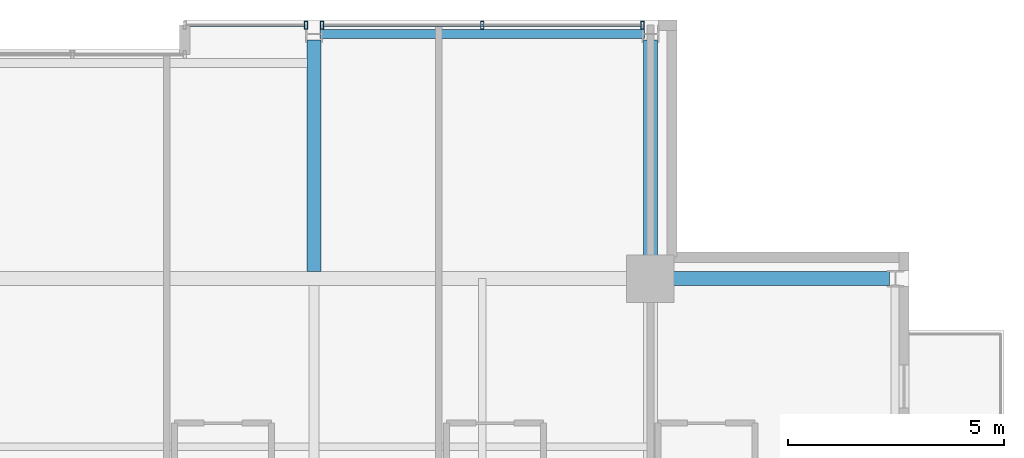
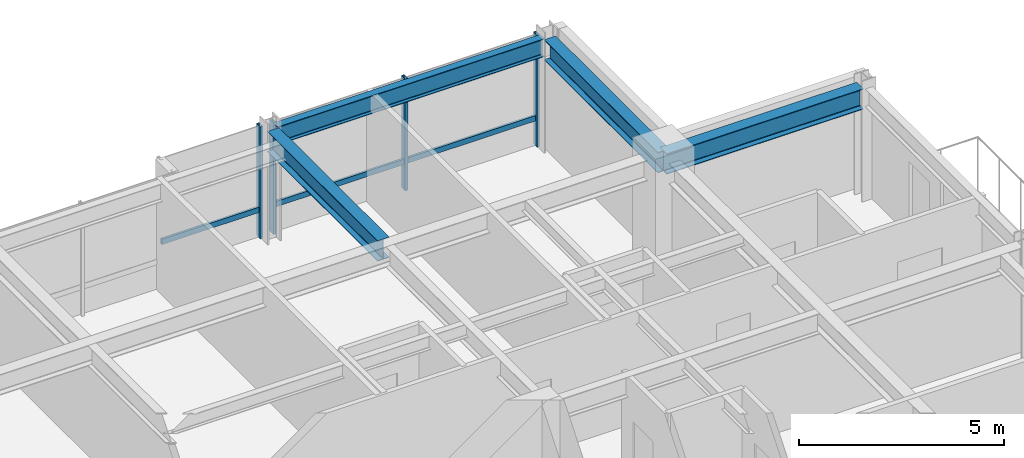
# One storey, part 23 of 32: 6 members, 4 beams, 2 elements without a shape of their own.
"""IFC4 building model written with IfcOpenShell, lengths in metres."""

from ifc_helpers import new_model, si_unit, direction, frame, origin, origin_2d, place, context, subcontext, project, spatial, hollow_rectangle, i_section, extrude, material, layer, layer_set, material_profile, profile_set, type_object, element, aggregate, save


model = new_model("IFC4")

# Units and contexts
model_context = context("Model", 3, precision=1e-05, world=origin(), true_north=direction((0.0, 1.0)))
body_context = subcontext(model_context, "Body", "Model", "MODEL_VIEW")
ifc_project = project(units=[si_unit("LENGTHUNIT", "METRE"), si_unit("AREAUNIT", "SQUARE_METRE"), si_unit("VOLUMEUNIT", "CUBIC_METRE"), si_unit("PLANEANGLEUNIT", "RADIAN"), si_unit("MASSUNIT", "GRAM", prefix="KILO")], contexts=[model_context])

# Site, building, storey
site_placement = place(None, origin())
site = spatial("IfcSite", under=ifc_project, at=site_placement, CompositionType="ELEMENT")
building_placement = place(site_placement, origin())
building = spatial("IfcBuilding", under=site, at=building_placement, Name="Drelvath Grand Hotel", CompositionType="ELEMENT")
storey_placement = place(building_placement, frame((0.0, 0.0, 205.10009765625)))
storey = spatial("IfcBuildingStorey", under=building, at=storey_placement, Name="L53", CompositionType="ELEMENT", Elevation=205.10009765625)

# Curtain wall, member
ifc_material_1 = material(Name="Platinum-Mist Anodised Aluminium Frame", Category="aluminium")
ifc_layer = layer(ifc_material_1, 0.199951171875)
ifc_layer_set = layer_set([ifc_layer], Name="Platinum-Mist Anodised Aluminium Frame")
curtain_wall_type = type_object("IfcCurtainWallType", Name="Stick Curtain Wall CW-05 Platinum Mist High-Rise", PredefinedType="NOTDEFINED", material=ifc_layer_set)
curtain_wall_1_placement = place(storey_placement, origin())
curtain_wall_1 = element("IfcCurtainWall", 1, at=curtain_wall_1_placement, inside=storey, type_object=curtain_wall_type, Name="L53 CW-05 Curtain Wall CW05-L53-NE1", PredefinedType="NOTDEFINED")
ifc_material_profile_1 = material_profile(ifc_material_1, hollow_rectangle(XDim=0.06494140625, YDim=0.159912109375, WallThickness=0.00390625, at=origin_2d()), Name="HSS160X65X4")
ifc_profile_set_1 = profile_set([ifc_material_profile_1], Name="Platinum-Mist Anodised Aluminium Frame")
member_type_1 = type_object("IfcMemberType", Name="Curtain Wall Horizontal Transom CW-05 HSS160X65X4", PredefinedType="USERDEFINED", material=ifc_profile_set_1)
member_1_placement = place(storey_placement, frame((5.43994140625, 49.080078125, 0.8349609375), z_axis=(1.0, 0.0, 0.0), x_axis=(0.0, 1.0, 0.0)))
member_1 = element("IfcMember", 2, at=member_1_placement, type_object=member_type_1, Name="CW05-L53-NE1 Sill Transom", ObjectType="TRANSOM", PredefinedType="USERDEFINED", context=body_context, shape_type="SweptSolid", body=[
    extrude(hollow_rectangle(XDim=0.06494140625, YDim=0.159912109375, WallThickness=0.00390625, at=origin_2d()), origin(), (0.0, 0.0, 1.0), 2.73486328125),
])

curtain_wall_2_placement = place(storey_placement, origin())
curtain_wall_2 = element("IfcCurtainWall", 3, at=curtain_wall_2_placement, inside=storey, type_object=curtain_wall_type, Name="L53 CW-05 Curtain Wall CW05-L53-NE2", PredefinedType="NOTDEFINED")
member_2_placement = place(storey_placement, frame((8.625244140625, 49.080078125, 0.8349609375), z_axis=(1.0, 0.0, 0.0), x_axis=(0.0, 1.0, 0.0)))
member_2 = element("IfcMember", 4, at=member_2_placement, type_object=member_type_1, Name="CW05-L53-NE2 Sill Transom", ObjectType="TRANSOM", PredefinedType="USERDEFINED", context=body_context, shape_type="SweptSolid", body=[
    extrude(hollow_rectangle(XDim=0.06494140625, YDim=0.159912109375, WallThickness=0.00390625, at=origin_2d()), origin(), (0.0, 0.0, 1.0), 7.349365234375),
])

# Member
ifc_material_profile_2 = material_profile(ifc_material_1, hollow_rectangle(XDim=0.074951171875, YDim=0.179931640625, WallThickness=0.0048828125, at=origin_2d()), Name="HSS180X75X5")
ifc_profile_set_2 = profile_set([ifc_material_profile_2], Name="Platinum-Mist Anodised Aluminium Frame")
member_type_2 = type_object("IfcMemberType", Name="Curtain Wall Vertical Mullion CW-05 HSS180X75X5", PredefinedType="MULLION", material=ifc_profile_set_2)
member_3_placement = place(storey_placement, frame((8.214599609375, 49.080078125, 0.0), z_axis=(0.0, 0.0, 1.0), x_axis=(1.0, 0.0, 0.0)))
member_3 = element("IfcMember", 5, at=member_3_placement, type_object=member_type_2, Name="CW05-L53-NE1 Mullion 2", PredefinedType="MULLION", context=body_context, shape_type="SweptSolid", body=[
    extrude(hollow_rectangle(XDim=0.074951171875, YDim=0.179931640625, WallThickness=0.0048828125, at=origin_2d()), origin(), (0.0, 0.0, 1.0), 3.33984375),
])

aggregate(curtain_wall_1, [member_3, member_1])

member_4_placement = place(storey_placement, frame((8.585205078125, 49.080078125, 0.0), z_axis=(0.0, 0.0, 1.0), x_axis=(1.0, 0.0, 0.0)))
member_4 = element("IfcMember", 6, at=member_4_placement, type_object=member_type_2, Name="CW05-L53-NE2 Mullion 1", PredefinedType="MULLION", context=body_context, shape_type="SweptSolid", body=[
    extrude(hollow_rectangle(XDim=0.074951171875, YDim=0.179931640625, WallThickness=0.0048828125, at=origin_2d()), origin(), (0.0, 0.0, 1.0), 3.33984375),
])

member_5_placement = place(storey_placement, frame((12.300048828125, 49.080078125, 0.0), z_axis=(0.0, 0.0, 1.0), x_axis=(1.0, 0.0, 0.0)))
member_5 = element("IfcMember", 7, at=member_5_placement, type_object=member_type_2, Name="CW05-L53-NE2 Mullion 2", PredefinedType="MULLION", context=body_context, shape_type="SweptSolid", body=[
    extrude(hollow_rectangle(XDim=0.074951171875, YDim=0.179931640625, WallThickness=0.0048828125, at=origin_2d()), origin(), (0.0, 0.0, 1.0), 3.33984375),
])

member_6_placement = place(storey_placement, frame((16.0146484375, 49.080078125, 0.0), z_axis=(0.0, 0.0, 1.0), x_axis=(1.0, 0.0, 0.0)))
member_6 = element("IfcMember", 8, at=member_6_placement, type_object=member_type_2, Name="CW05-L53-NE2 Mullion 3", PredefinedType="MULLION", context=body_context, shape_type="SweptSolid", body=[
    extrude(hollow_rectangle(XDim=0.074951171875, YDim=0.179931640625, WallThickness=0.0048828125, at=origin_2d()), origin(), (0.0, 0.0, 1.0), 3.33984375),
])

aggregate(curtain_wall_2, [member_4, member_5, member_6, member_2])

# Beams
ifc_material_2 = material(Name="Steel ASTM A992 Gr 50", Category="steel")
ifc_material_profile_3 = material_profile(ifc_material_2, i_section(OverallWidth=0.210205078125, OverallDepth=0.53662109375, WebThickness=0.010986328125, FlangeThickness=0.017333984375, FilletRadius=0.01806640625, at=origin_2d()), Name="W21X68")
ifc_profile_set_3 = profile_set([ifc_material_profile_3], Name="Steel ASTM A992 Gr 50")
beam_type_1 = type_object("IfcBeamType", Name="Perimeter Spandrel Beam W21X68", PredefinedType="SPANDREL", material=ifc_profile_set_3)
beam_1_placement = place(storey_placement, frame((8.5400390625, 48.8798828125, 3.071533203125), z_axis=(1.0, 0.0, 0.0), x_axis=(0.0, 1.0, 0.0)))
element("IfcBeam", 9, at=beam_1_placement, inside=storey, type_object=beam_type_1, Name="L53 Spandrel North E", PredefinedType="SPANDREL", context=body_context, shape_type="SweptSolid", body=[
    extrude(i_section(OverallWidth=0.210205078125, OverallDepth=0.53662109375, WebThickness=0.010986328125, FlangeThickness=0.017333984375, FilletRadius=0.01806640625, at=origin_2d()), origin(), (0.0, 0.0, 1.0), 7.52001953125),
])
ifc_material_profile_4 = material_profile(ifc_material_2, i_section(OverallWidth=0.323974609375, OverallDepth=0.611083984375, WebThickness=0.0126953125, FlangeThickness=0.01904296875, FilletRadius=0.02197265625, at=origin_2d()), Name="W24X104")
ifc_profile_set_4 = profile_set([ifc_material_profile_4], Name="Steel ASTM A992 Gr 50")
beam_type_2 = type_object("IfcBeamType", Name="Primary Floor Girder W24X104", PredefinedType="BEAM", material=ifc_profile_set_4)
for number, where, z_axis, x_axis, name in (
    (10, (16.199951171875, 43.199951171875, 3.034423828125), (1.0, 0.0, 0.0), (0.0, 1.0, 0.0), "L53 East Grid Girder G"),
    (11, (16.199951171875, 43.199951171875, 3.034423828125), (0.0, 1.0, 0.0), (-1.0, 0.0, 0.0), "L53 North Grid Girder 7"),
):
    element("IfcBeam", number, at=place(storey_placement, frame(where, z_axis=z_axis, x_axis=x_axis)), inside=storey, type_object=beam_type_2, Name=name, PredefinedType="BEAM", context=body_context, shape_type="SweptSolid", body=[
        extrude(i_section(OverallWidth=0.323974609375, OverallDepth=0.611083984375, WebThickness=0.0126953125, FlangeThickness=0.01904296875, FilletRadius=0.02197265625, at=origin_2d()), origin(), (0.0, 0.0, 1.0), 5.5400390625),
    ])
beam_2_placement = place(storey_placement, frame((8.39990234375, 43.362060546875, 3.034423828125), z_axis=(0.0, 1.0, 0.0), x_axis=(-1.0, 0.0, 0.0)))
element("IfcBeam", 12, at=beam_2_placement, inside=storey, type_object=beam_type_2, Name="L53 North Wing Girder 6", PredefinedType="BEAM", context=body_context, shape_type="SweptSolid", body=[
    extrude(i_section(OverallWidth=0.323974609375, OverallDepth=0.611083984375, WebThickness=0.0126953125, FlangeThickness=0.01904296875, FilletRadius=0.02197265625, at=origin_2d()), origin(), (0.0, 0.0, 1.0), 5.3779296875),
])

save(model, "model.ifc")
